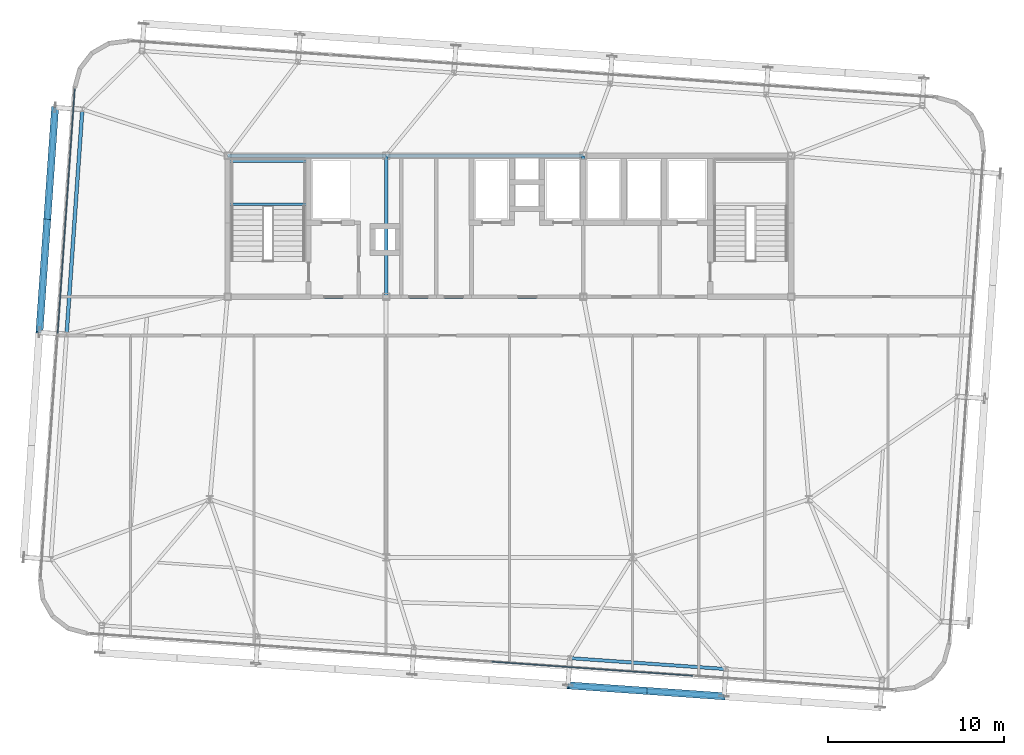
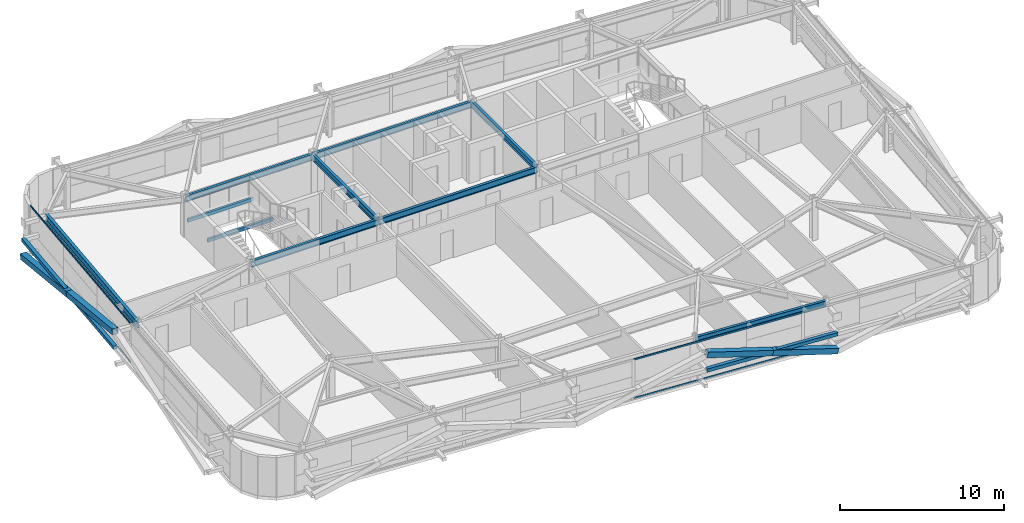
# One storey, part 12 of 39: 10 beams, 10 members, 2 elements without a shape of their own.
"""IFC4 building model written with IfcOpenShell, lengths in metres."""

from ifc_helpers import new_model, si_unit, direction, frame, origin, origin_2d, place, context, subcontext, project, spatial, hollow_rectangle, i_section, extrude, source, transform, mapped, material, layer, layer_set, material_profile, profile_set, type_object, element, aggregate, save


model = new_model("IFC4")

# Units and contexts
model_context = context("Model", 3, precision=1e-05, world=origin(), true_north=direction((0.0, 1.0)))
body_context = subcontext(model_context, "Body", "Model", "MODEL_VIEW")
ifc_project = project(units=[si_unit("LENGTHUNIT", "METRE"), si_unit("AREAUNIT", "SQUARE_METRE"), si_unit("VOLUMEUNIT", "CUBIC_METRE"), si_unit("PLANEANGLEUNIT", "RADIAN"), si_unit("MASSUNIT", "GRAM", prefix="KILO")], contexts=[model_context])

# Site, building, storey
site_placement = place(None, origin())
site = spatial("IfcSite", under=ifc_project, at=site_placement, CompositionType="ELEMENT")
building_placement = place(site_placement, origin())
building = spatial("IfcBuilding", under=site, at=building_placement, Name="Taldren Reach Tower", CompositionType="ELEMENT")
storey_placement = place(building_placement, frame((0.0, 0.0, 151.89990234375)))
storey = spatial("IfcBuildingStorey", under=building, at=storey_placement, Name="L46", CompositionType="ELEMENT", Elevation=151.89990234375)

# Beams
ifc_material_1 = material(Name="Steel Gr 350 (350PLUS)", Category="steel")
ifc_material_profile_1 = material_profile(ifc_material_1, i_section(OverallWidth=0.19091796875, OverallDepth=0.4599609375, WebThickness=0.010009765625, FlangeThickness=0.01611328125, at=origin_2d()), Name="460UB82.1")
ifc_profile_set_1 = profile_set([ifc_material_profile_1], Name="Steel Gr 350 (350PLUS)")
beam_type_1 = type_object("IfcBeamType", Name="BM-UB460A", PredefinedType="BEAM", material=ifc_profile_set_1)
shared_shape_1 = source(origin(), body_context, "Body", "SweptSolid", [
    extrude(i_section(OverallWidth=0.19091796875, OverallDepth=0.4599609375, WebThickness=0.010009765625, FlangeThickness=0.01611328125, at=origin_2d()), origin(), (0.0, 0.0, 1.0), 9.0),
])
for number, where, z_axis, x_axis, name in (
    (1, (19.0, 24.0, 2.7001953125), (1.0, 0.0, 0.0), (0.0, 1.0, 0.0), "Core-spine girder L46-SP01"),
    (2, (19.0, 32.0, 2.7001953125), (1.0, 0.0, 0.0), (0.0, 1.0, 0.0), "Core-spine girder L46-SP04"),
):
    element("IfcBeam", number, at=place(storey_placement, frame(where, z_axis=z_axis, x_axis=x_axis)), inside=storey, type_object=beam_type_1, Name=name, PredefinedType="BEAM", context=body_context, shape_type="MappedRepresentation", body=[
        mapped(shared_shape_1, transform((0.0, 0.0, 0.0), scale=1.0)),
    ])
shared_shape_2 = source(origin(), body_context, "Body", "SweptSolid", [
    extrude(i_section(OverallWidth=0.19091796875, OverallDepth=0.4599609375, WebThickness=0.010009765625, FlangeThickness=0.01611328125, at=origin_2d()), origin(), (0.0, 0.0, 1.0), 11.199951171875),
])
for number, where, z_axis, x_axis, name in (
    (3, (28.0, 24.0, 2.7001953125), (1.0, 0.0, 0.0), (0.0, 1.0, 0.0), "Core-spine girder L46-SP02"),
    (4, (28.0, 32.0, 2.7001953125), (1.0, 0.0, 0.0), (0.0, 1.0, 0.0), "Core-spine girder L46-SP05"),
):
    element("IfcBeam", number, at=place(storey_placement, frame(where, z_axis=z_axis, x_axis=x_axis)), inside=storey, type_object=beam_type_1, Name=name, PredefinedType="BEAM", context=body_context, shape_type="MappedRepresentation", body=[
        mapped(shared_shape_2, transform((0.0, 0.0, 0.0), scale=1.0)),
    ])
shared_shape_3 = source(origin(), body_context, "Body", "SweptSolid", [
    extrude(i_section(OverallWidth=0.19091796875, OverallDepth=0.4599609375, WebThickness=0.010009765625, FlangeThickness=0.01611328125, at=origin_2d()), origin(), (0.0, 0.0, 1.0), 8.0),
])
for number, where, z_axis, x_axis, name in (
    (5, (28.0, 24.0, 2.7001953125), (0.0, 1.0, 0.0), (-1.0, 0.0, 0.0), "Core-spine girder L46-SP07"),
    (6, (39.199951171875, 24.0, 2.7001953125), (0.0, 1.0, 0.0), (-1.0, 0.0, 0.0), "Core-spine girder L46-SP08"),
):
    element("IfcBeam", number, at=place(storey_placement, frame(where, z_axis=z_axis, x_axis=x_axis)), inside=storey, type_object=beam_type_1, Name=name, PredefinedType="BEAM", context=body_context, shape_type="MappedRepresentation", body=[
        mapped(shared_shape_3, transform((0.0, 0.0, 0.0), scale=1.0)),
    ])
ifc_material_profile_2 = material_profile(ifc_material_1, i_section(OverallWidth=0.18994140625, OverallDepth=0.4541015625, WebThickness=0.008544921875, FlangeThickness=0.0126953125, at=origin_2d()), Name="460UB67.1")
ifc_profile_set_2 = profile_set([ifc_material_profile_2], Name="Steel Gr 350 (350PLUS)")
beam_type_2 = type_object("IfcBeamType", Name="SP-UB460B", PredefinedType="SPANDREL", material=ifc_profile_set_2)
shared_shape_4 = source(origin(), body_context, "Body", "SweptSolid", [
    extrude(i_section(OverallWidth=0.18994140625, OverallDepth=0.4541015625, WebThickness=0.008544921875, FlangeThickness=0.0126953125, at=origin_2d()), origin(), (0.0, 0.0, 1.0), 8.880126953125),
])
beam_1_placement = place(storey_placement, frame((38.438720703125, 3.480224609375, 2.703125), z_axis=(0.997562566276, -0.06977769246, 0.0), x_axis=(0.06977769246, 0.997562566276, 0.0)))
element("IfcBeam", 7, at=beam_1_placement, inside=storey, type_object=beam_type_2, Name="Perimeter spandrel B3 S4-S5 L46", PredefinedType="SPANDREL", context=body_context, shape_type="MappedRepresentation", body=[
    mapped(shared_shape_4, transform((0.0, 0.0, 0.0), scale=1.0)),
])
ifc_material_profile_3 = material_profile(ifc_material_1, i_section(OverallWidth=0.208984375, OverallDepth=0.528076171875, WebThickness=0.009521484375, FlangeThickness=0.01318359375, at=origin_2d()), Name="530UB82.0")
ifc_profile_set_3 = profile_set([ifc_material_profile_3], Name="Steel Gr 350 (350PLUS)")
beam_type_3 = type_object("IfcBeamType", Name="SP-UB530B", PredefinedType="SPANDREL", material=ifc_profile_set_3)
shared_shape_5 = source(origin(), body_context, "Body", "SweptSolid", [
    extrude(i_section(OverallWidth=0.208984375, OverallDepth=0.528076171875, WebThickness=0.009521484375, FlangeThickness=0.01318359375, at=origin_2d()), origin(), (0.0, 0.0, 1.0), 12.800048828125),
])
beam_2_placement = place(storey_placement, frame((10.754638671875, 34.63720703125, 2.666015625), z_axis=(-0.069751876777, -0.9975643717, 0.0), x_axis=(0.9975643717, -0.069751876777, 0.0)))
element("IfcBeam", 8, at=beam_2_placement, inside=storey, type_object=beam_type_3, Name="Perimeter spandrel B3 W3-W2 L46", PredefinedType="SPANDREL", context=body_context, shape_type="MappedRepresentation", body=[
    mapped(shared_shape_5, transform((0.0, 0.0, 0.0), scale=1.0)),
])

# Members
ifc_material_2 = material(Name="Steel Gr 350 (C350L0)", Category="steel")
ifc_material_profile_4 = material_profile(ifc_material_2, hollow_rectangle(XDim=0.25, YDim=0.25, WallThickness=0.010009765625, at=origin_2d()), Name="250x250x10.0SHS")
ifc_profile_set_4 = profile_set([ifc_material_profile_4], Name="Steel Gr 350 (C350L0)")
member_type_1 = type_object("IfcMemberType", Name="MB-POST250", PredefinedType="POST", material=ifc_profile_set_4)
shared_shape_6 = source(origin(), body_context, "Body", "SweptSolid", [
    extrude(hollow_rectangle(XDim=0.25, YDim=0.25, WallThickness=0.010009765625, at=origin_2d()), origin(), (0.0, 0.0, 1.0), 8.880126953125),
])
member_1_placement = place(storey_placement, frame((38.33056640625, 1.933837890625, 1.43505859375), z_axis=(0.997564479639, -0.069750333063, 0.0), x_axis=(0.069750333063, 0.997564479639, 0.0)))
element("IfcMember", 9, at=member_1_placement, inside=storey, type_object=member_type_1, Name="Exoskeleton mid-height ring chord B3-S4 L46", PredefinedType="POST", context=body_context, shape_type="MappedRepresentation", body=[
    mapped(shared_shape_6, transform((0.0, 0.0, 0.0), scale=1.0)),
])
shared_shape_7 = source(origin(), body_context, "Body", "SweptSolid", [
    extrude(hollow_rectangle(XDim=0.25, YDim=0.25, WallThickness=0.010009765625, at=origin_2d()), origin(), (0.0, 0.0, 1.0), 12.800048828125),
])
member_2_placement = place(storey_placement, frame((8.3154296875, 21.9765625, 1.43505859375), z_axis=(0.069770857464, 0.997563044348, 0.0), x_axis=(-0.997563044348, 0.069770857464, 0.0)))
element("IfcMember", 10, at=member_2_placement, inside=storey, type_object=member_type_1, Name="Exoskeleton mid-height ring chord B3-W2 L46", PredefinedType="POST", context=body_context, shape_type="MappedRepresentation", body=[
    mapped(shared_shape_7, transform((0.0, 0.0, 0.0), scale=1.0)),
])
ifc_material_3 = material(Name="Steel Gr 450 (C450L0)", Category="steel")
ifc_material_profile_5 = material_profile(ifc_material_3, hollow_rectangle(XDim=0.409912109375, YDim=0.409912109375, WallThickness=0.01611328125, at=origin_2d()), Name="410x410x16.0SHS")
ifc_profile_set_5 = profile_set([ifc_material_profile_5], Name="Steel Gr 450 (C450L0)")
member_type_2 = type_object("IfcMemberType", Name="MB-EXO406", PredefinedType="BRACE", material=ifc_profile_set_5)
shared_shape_8 = source(origin(), body_context, "Body", "SweptSolid", [
    extrude(hollow_rectangle(XDim=0.409912109375, YDim=0.409912109375, WallThickness=0.01611328125, at=origin_2d()), origin(), (0.0, 0.0, 1.0), 4.603271484375),
])
for number, where, z_axis, x_axis, name in (
    (11, (47.18896484375, 1.314453125, 0.22021484375), (-0.962195820062, 0.067303852699, 0.263911718699), (-0.06977769246, -0.997562566276, 0.0), "Exoskeleton Diagrid Brace B3-S4 L46"),
    (12, (42.759765625, 1.624267578125, 1.43505859375), (-0.962185784239, 0.067250114343, 0.263962002434), (-0.069722973508, -0.997566392259, 0.0), "Exoskeleton Diagrid Brace B3-S4 L46"),
):
    element("IfcMember", number, at=place(storey_placement, frame(where, z_axis=z_axis, x_axis=x_axis)), inside=storey, type_object=member_type_2, Name=name, PredefinedType="BRACE", context=body_context, shape_type="MappedRepresentation", body=[
        mapped(shared_shape_8, transform((0.0, 0.0, 0.0), scale=1.0)),
    ])
shared_shape_9 = source(origin(), body_context, "Body", "SweptSolid", [
    extrude(hollow_rectangle(XDim=0.409912109375, YDim=0.409912109375, WallThickness=0.01611328125, at=origin_2d()), origin(), (0.0, 0.0, 1.0), 6.514404296875),
])
member_3_placement = place(storey_placement, frame((9.20849609375, 34.745361328125, 0.22021484375), z_axis=(-0.068545605936, -0.980063499638, 0.186486022492), x_axis=(0.997563137195, -0.069769529958, 0.0)))
element("IfcMember", 13, at=member_3_placement, inside=storey, type_object=member_type_2, Name="Exoskeleton Diagrid Brace B3-W2 L46", PredefinedType="BRACE", context=body_context, shape_type="MappedRepresentation", body=[
    mapped(shared_shape_9, transform((0.0, 0.0, 0.0), scale=1.0)),
])
shared_shape_10 = source(origin(), body_context, "Body", "SweptSolid", [
    extrude(hollow_rectangle(XDim=0.409912109375, YDim=0.409912109375, WallThickness=0.01611328125, at=origin_2d()), origin(), (0.0, 0.0, 1.0), 6.51416015625),
])
member_4_placement = place(storey_placement, frame((8.761962890625, 28.36083984375, 1.43505859375), z_axis=(-0.068547644544, -0.980055169399, 0.186529046964), x_axis=(0.997562951496, -0.069772185021, 0.0)))
element("IfcMember", 14, at=member_4_placement, inside=storey, type_object=member_type_2, Name="Exoskeleton Diagrid Brace B3-W2 L46", PredefinedType="BRACE", context=body_context, shape_type="MappedRepresentation", body=[
    mapped(shared_shape_10, transform((0.0, 0.0, 0.0), scale=1.0)),
])

# Curtain wall, members
ifc_material_4 = material(Name="Aluminium and Low-E Glass Unitised System", Category="aluminium")
ifc_layer = layer(ifc_material_4, 0.159912109375)
ifc_layer_set = layer_set([ifc_layer], Name="Aluminium and Low-E Glass Unitised System")
curtain_wall_type = type_object("IfcCurtainWallType", Name="CW-SYS-4", PredefinedType="NOTDEFINED", material=ifc_layer_set)
curtain_wall_1_placement = place(storey_placement, origin())
curtain_wall_1 = element("IfcCurtainWall", 15, at=curtain_wall_1_placement, inside=storey, type_object=curtain_wall_type, Name="Unitised curtain wall CW-L46-S", PredefinedType="NOTDEFINED")
ifc_material_5 = material(Name="Anodised Aluminium 6063-T6", Category="aluminium")
ifc_material_profile_6 = material_profile(ifc_material_5, hollow_rectangle(XDim=0.054931640625, YDim=0.1201171875, WallThickness=0.0029296875, at=origin_2d()), Name="ALU-120x55x3RHS")
ifc_profile_set_6 = profile_set([ifc_material_profile_6], Name="Anodised Aluminium 6063-T6")
member_type_3 = type_object("IfcMemberType", Name="CW-TRN-135", PredefinedType="USERDEFINED", material=ifc_profile_set_6)
shared_shape_11 = source(origin(), body_context, "Body", "SweptSolid", [
    extrude(hollow_rectangle(XDim=0.054931640625, YDim=0.1201171875, WallThickness=0.0029296875, at=origin_2d()), origin(), (0.0, 0.0, 1.0), 11.429931640625),
])
member_5_placement = place(storey_placement, frame((34.0087890625, 3.278564453125, 0.027587890625), z_axis=(0.997563740938, -0.069760897114, 0.0), x_axis=(0.069760897114, 0.997563740938, 0.0)))
member_5 = element("IfcMember", 16, at=member_5_placement, type_object=member_type_3, Name="CW-4 transom 3.1", ObjectType="TRANSOM", PredefinedType="USERDEFINED", context=body_context, shape_type="MappedRepresentation", body=[
    mapped(shared_shape_11, transform((0.0, 0.0, 0.0), scale=1.0)),
])
member_6_placement = place(storey_placement, frame((34.0087890625, 3.278564453125, 2.902587890625), z_axis=(0.997563740938, -0.069760897114, 0.0), x_axis=(0.069760897114, 0.997563740938, 0.0)))
member_6 = element("IfcMember", 17, at=member_6_placement, type_object=member_type_3, Name="CW-4 transom 3.2", ObjectType="TRANSOM", PredefinedType="USERDEFINED", context=body_context, shape_type="MappedRepresentation", body=[
    mapped(shared_shape_11, transform((0.0, 0.0, 0.0), scale=1.0)),
])
aggregate(curtain_wall_1, [member_5, member_6])

curtain_wall_2_placement = place(storey_placement, origin())
curtain_wall_2 = element("IfcCurtainWall", 18, at=curtain_wall_2_placement, inside=storey, type_object=curtain_wall_type, Name="Unitised curtain wall CW-L46-W", PredefinedType="NOTDEFINED")
shared_shape_12 = source(origin(), body_context, "Body", "SweptSolid", [
    extrude(hollow_rectangle(XDim=0.054931640625, YDim=0.1201171875, WallThickness=0.0029296875, at=origin_2d()), origin(), (0.0, 0.0, 1.0), 13.895263671875),
])
member_7_placement = place(storey_placement, frame((10.32470703125, 35.800048828125, 0.027587890625), z_axis=(-0.069753594456, -0.997564251595, 0.0), x_axis=(0.997564251595, -0.069753594456, 0.0)))
member_7 = element("IfcMember", 19, at=member_7_placement, type_object=member_type_3, Name="CW-4 transom 1.1", ObjectType="TRANSOM", PredefinedType="USERDEFINED", context=body_context, shape_type="MappedRepresentation", body=[
    mapped(shared_shape_12, transform((0.0, 0.0, 0.0), scale=1.0)),
])
member_8_placement = place(storey_placement, frame((10.32470703125, 35.800048828125, 2.902587890625), z_axis=(-0.069753594456, -0.997564251595, 0.0), x_axis=(0.997564251595, -0.069753594456, 0.0)))
member_8 = element("IfcMember", 20, at=member_8_placement, type_object=member_type_3, Name="CW-4 transom 1.2", ObjectType="TRANSOM", PredefinedType="USERDEFINED", context=body_context, shape_type="MappedRepresentation", body=[
    mapped(shared_shape_12, transform((0.0, 0.0, 0.0), scale=1.0)),
])
aggregate(curtain_wall_2, [member_7, member_8])

# Beams
ifc_material_profile_7 = material_profile(ifc_material_2, hollow_rectangle(XDim=0.14990234375, YDim=0.25, WallThickness=0.009033203125, at=origin_2d()), Name="250x150x9.0RHS")
ifc_profile_set_7 = profile_set([ifc_material_profile_7], Name="Steel Gr 350 (C350L0)")
beam_type_4 = type_object("IfcBeamType", Name="LN-RHS250", PredefinedType="LINTEL", material=ifc_profile_set_7)
shared_shape_13 = source(origin(), body_context, "Body", "SweptSolid", [
    extrude(hollow_rectangle(XDim=0.14990234375, YDim=0.25, WallThickness=0.009033203125, at=origin_2d()), origin(), (0.0, 0.0, 1.0), 4.60009765625),
])
for number, where, z_axis, x_axis, name in (
    (21, (19.0, 29.2548828125, 1.27001953125), (1.0, 0.0, 0.0), (0.0, 1.0, 0.0), "Stair half-landing support beam ST1-L46-1"),
    (22, (19.0, 31.699951171875, 1.27001953125), (1.0, 0.0, 0.0), (0.0, 1.0, 0.0), "Stair half-landing support beam ST1-L46-2"),
):
    element("IfcBeam", number, at=place(storey_placement, frame(where, z_axis=z_axis, x_axis=x_axis)), inside=storey, type_object=beam_type_4, Name=name, PredefinedType="LINTEL", context=body_context, shape_type="MappedRepresentation", body=[
        mapped(shared_shape_13, transform((0.0, 0.0, 0.0), scale=1.0)),
    ])

save(model, "model.ifc")
